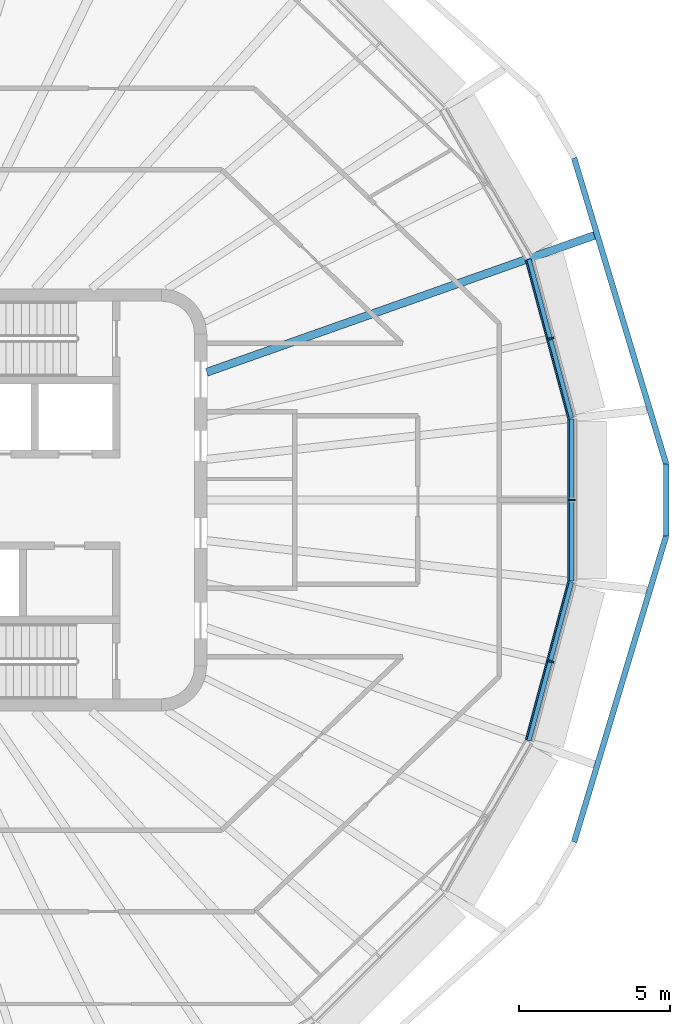
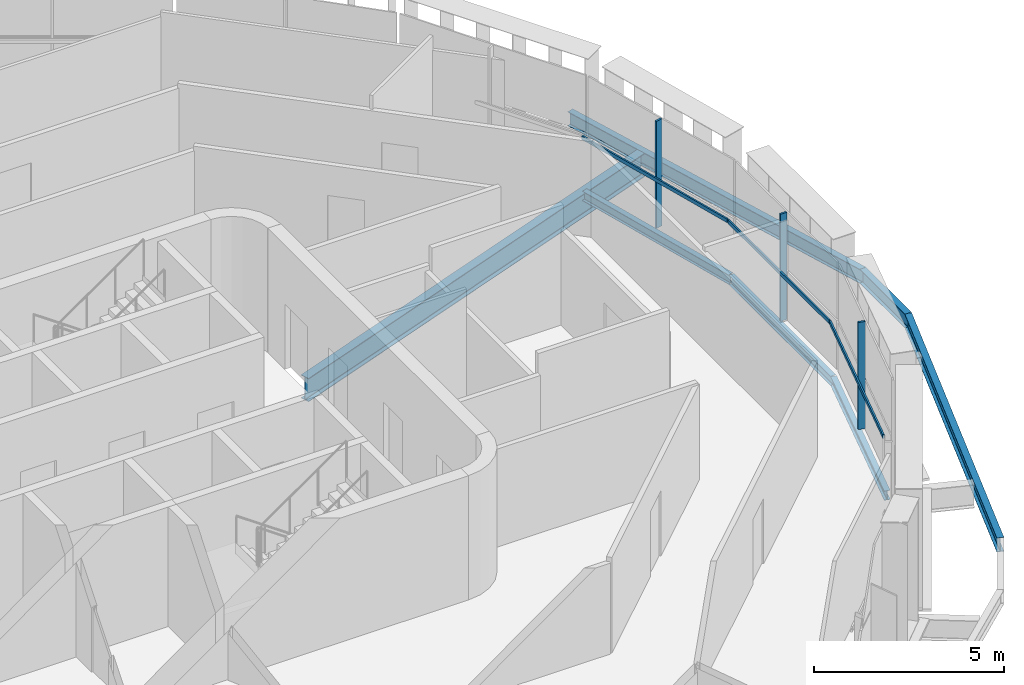
# One storey, part 4 of 18: 7 beams, 6 members, 3 elements without a shape of their own.
"""IFC4 building model written with IfcOpenShell, lengths in metres."""

from ifc_helpers import new_model, si_unit, direction, frame, origin, origin_2d, place, context, subcontext, project, spatial, rectangle, i_section, extrude, material, layer, layer_set, material_profile, profile_set, type_object, element, aggregate, save


model = new_model("IFC4")

# Units and contexts
model_context = context("Model", 3, precision=1e-05, world=origin(), true_north=direction((0.0, 1.0)))
body_context = subcontext(model_context, "Body", "Model", "MODEL_VIEW")
ifc_project = project(units=[si_unit("LENGTHUNIT", "METRE"), si_unit("AREAUNIT", "SQUARE_METRE"), si_unit("VOLUMEUNIT", "CUBIC_METRE"), si_unit("PLANEANGLEUNIT", "RADIAN"), si_unit("MASSUNIT", "GRAM", prefix="KILO")], contexts=[model_context])

# Site, building, storey
site_placement = place(None, origin())
site = spatial("IfcSite", under=ifc_project, at=site_placement, CompositionType="ELEMENT")
building_placement = place(site_placement, origin())
building = spatial("IfcBuilding", under=site, at=building_placement, Name="Sahrelin Media Tower", CompositionType="ELEMENT")
storey_placement = place(building_placement, frame((0.0, 0.0, 320.39990234375)))
storey = spatial("IfcBuildingStorey", under=building, at=storey_placement, Name="L71", CompositionType="ELEMENT", Elevation=320.39990234375)

# Beams
ifc_material_1 = material(Name="Steel S355", Category="steel")
ifc_material_profile_1 = material_profile(ifc_material_1, i_section(OverallWidth=0.1650390625, OverallDepth=0.303466796875, WebThickness=0.006103515625, FlangeThickness=0.01025390625, FilletRadius=0.0087890625, at=origin_2d()), Name="UB 305x165x40")
ifc_profile_set_1 = profile_set([ifc_material_profile_1], Name="Steel S355")
beam_type_1 = type_object("IfcBeamType", Name="Edge beam EB2", PredefinedType="BEAM", material=ifc_profile_set_1)
beam_1_placement = place(storey_placement, frame((24.0927734375, 2.685546875, -0.301513671875), z_axis=(0.0, -1.0, 0.0), x_axis=(1.0, 0.0, 0.0)))
element("IfcBeam", 1, at=beam_1_placement, inside=storey, type_object=beam_type_1, Name="Edge beam L71-01", PredefinedType="BEAM", context=body_context, shape_type="SweptSolid", body=[
    extrude(i_section(OverallWidth=0.1650390625, OverallDepth=0.303466796875, WebThickness=0.006103515625, FlangeThickness=0.01025390625, FilletRadius=0.0087890625, at=origin_2d()), origin(), (0.0, 0.0, 1.0), 5.37109375),
])
for number, where, z_axis, x_axis, name in (
    (2, (24.0888671875, -2.714111328125, -0.301513671875), (-0.258807693076, -0.965928867984, 0.0), (0.965928867984, -0.258807693076, 0.0), "Edge beam L71-02"),
    (3, (22.677490234375, 7.981689453125, -0.301513671875), (0.258807693076, -0.965928867984, 0.0), (0.965928867984, 0.258807693076, 0.0), "Edge beam L71-24"),
):
    element("IfcBeam", number, at=place(storey_placement, frame(where, z_axis=z_axis, x_axis=x_axis)), inside=storey, type_object=beam_type_1, Name=name, PredefinedType="BEAM", context=body_context, shape_type="SweptSolid", body=[
        extrude(i_section(OverallWidth=0.1650390625, OverallDepth=0.303466796875, WebThickness=0.006103515625, FlangeThickness=0.01025390625, FilletRadius=0.0087890625, at=origin_2d()), origin(), (0.0, 0.0, 1.0), 5.453369140625),
    ])

# Curtain wall, member
ifc_material_2 = material(Name="Champagne anodised aluminium 6063-T6", Category="aluminium")
ifc_layer = layer(ifc_material_2, 0.14990234375)
ifc_layer_set = layer_set([ifc_layer], Name="Tower ribbon curtain wall")
curtain_wall_type = type_object("IfcCurtainWallType", Name="Tower ribbon curtain wall", PredefinedType="NOTDEFINED", material=ifc_layer_set)
curtain_wall_1_placement = place(storey_placement, frame((24.24267578125, 0.0, 0.0), z_axis=(0.0, 0.0, 1.0), x_axis=(1.0, 0.0, 0.0)))
curtain_wall_1 = element("IfcCurtainWall", 4, at=curtain_wall_1_placement, inside=storey, type_object=curtain_wall_type, Name="L71:CW:L71-00", PredefinedType="NOTDEFINED")
ifc_material_profile_2 = material_profile(ifc_material_2, rectangle(XDim=0.06005859375, YDim=0.199951171875, at=origin_2d()), Name="Mullion 60x200")
ifc_profile_set_2 = profile_set([ifc_material_profile_2], Name="Champagne anodised aluminium 6063-T6")
member_type_1 = type_object("IfcMemberType", Name="Mullion 60x200 CW1C", PredefinedType="MULLION", material=ifc_profile_set_2)
member_1_placement = place(storey_placement, frame((24.122802734375, 0.0, 0.0), z_axis=(0.0, 0.0, 1.0), x_axis=(0.0, 1.0, 0.0)))
member_1 = element("IfcMember", 5, at=member_1_placement, type_object=member_type_1, Name="L71:CWM:L71-00", PredefinedType="MULLION", context=body_context, shape_type="SweptSolid", body=[
    extrude(rectangle(XDim=0.06005859375, YDim=0.199951171875, at=origin_2d()), origin(), (0.0, 0.0, 1.0), 3.44873046875),
])

curtain_wall_2_placement = place(storey_placement, frame((23.5283203125, 5.38671875, 0.0), z_axis=(0.0, 0.0, 1.0), x_axis=(1.0, 0.0, 0.0)))
curtain_wall_2 = element("IfcCurtainWall", 6, at=curtain_wall_2_placement, inside=storey, type_object=curtain_wall_type, Name="L71:CW:L71-01", PredefinedType="NOTDEFINED")
member_2_placement = place(storey_placement, frame((23.412109375, 5.355712890625, 0.0), z_axis=(0.0, 0.0, 1.0), x_axis=(-0.258813987523, 0.965927181449, 0.0)))
member_2 = element("IfcMember", 7, at=member_2_placement, type_object=member_type_1, Name="L71:CWM:L71-01", PredefinedType="MULLION", context=body_context, shape_type="SweptSolid", body=[
    extrude(rectangle(XDim=0.06005859375, YDim=0.199951171875, at=origin_2d()), origin(), (0.0, 0.0, 1.0), 3.44873046875),
])

curtain_wall_3_placement = place(storey_placement, frame((23.5283203125, -5.38671875, 0.0), z_axis=(0.0, 0.0, 1.0), x_axis=(1.0, 0.0, 0.0)))
curtain_wall_3 = element("IfcCurtainWall", 8, at=curtain_wall_3_placement, inside=storey, type_object=curtain_wall_type, Name="L71:CW:L71-23", PredefinedType="NOTDEFINED")
member_3_placement = place(storey_placement, frame((23.412109375, -5.355712890625, 0.0), z_axis=(0.0, 0.0, 1.0), x_axis=(0.258813987523, 0.965927181449, 0.0)))
member_3 = element("IfcMember", 9, at=member_3_placement, type_object=member_type_1, Name="L71:CWM:L71-23", PredefinedType="MULLION", context=body_context, shape_type="SweptSolid", body=[
    extrude(rectangle(XDim=0.06005859375, YDim=0.199951171875, at=origin_2d()), origin(), (0.0, 0.0, 1.0), 3.44873046875),
])

# Beams
ifc_material_profile_3 = material_profile(ifc_material_1, i_section(OverallWidth=0.26513671875, OverallDepth=0.75390625, WebThickness=0.0126953125, FlangeThickness=0.017578125, FilletRadius=0.0166015625, at=origin_2d()), Name="UB 762x267x147")
ifc_profile_set_3 = profile_set([ifc_material_profile_3], Name="Steel S355")
beam_type_2 = type_object("IfcBeamType", Name="Radial primary beam PB9", PredefinedType="BEAM", material=ifc_profile_set_3)
beam_2_placement = place(storey_placement, frame((12.0, 4.236083984375, -0.52685546875), z_axis=(0.942964873881, 0.332892244769, 0.0), x_axis=(-0.332892244769, 0.942964873881, 0.0)))
element("IfcBeam", 10, at=beam_2_placement, inside=storey, type_object=beam_type_2, Name="Radial beam L71-02", PredefinedType="BEAM", context=body_context, shape_type="SweptSolid", body=[
    extrude(i_section(OverallWidth=0.26513671875, OverallDepth=0.75390625, WebThickness=0.0126953125, FlangeThickness=0.017578125, FilletRadius=0.0166015625, at=origin_2d()), origin(), (0.0, 0.0, 1.0), 13.633056640625),
])
ifc_material_profile_4 = material_profile(ifc_material_1, i_section(OverallWidth=0.1904296875, OverallDepth=0.45703125, WebThickness=0.009033203125, FlangeThickness=0.014404296875, FilletRadius=0.01025390625, at=origin_2d()), Name="UB 457x191x74")
ifc_profile_set_4 = profile_set([ifc_material_profile_4], Name="Steel S355")
beam_type_3 = type_object("IfcBeamType", Name="Tie chord TC5", PredefinedType="BEAM", material=ifc_profile_set_4)
for number, where, z_axis, x_axis, name in (
    (11, (27.235107421875, 1.19189453125, -0.37841796875), (-0.287981707962, 0.957635909874, 0.0), (-0.957635909874, -0.287981707962, 0.0), "Tie chord L71-01"),
    (12, (24.182373046875, -11.34326171875, -0.37841796875), (0.287981707962, 0.957635909874, 0.0), (-0.957635909874, 0.287981707962, 0.0), "Tie chord L71-23"),
):
    element("IfcBeam", number, at=place(storey_placement, frame(where, z_axis=z_axis, x_axis=x_axis)), inside=storey, type_object=beam_type_3, Name=name, PredefinedType="BEAM", context=body_context, shape_type="SweptSolid", body=[
        extrude(i_section(OverallWidth=0.1904296875, OverallDepth=0.45703125, WebThickness=0.009033203125, FlangeThickness=0.014404296875, FilletRadius=0.01025390625, at=origin_2d()), origin(), (0.0, 0.0, 1.0), 10.600341796875),
    ])
beam_3_placement = place(storey_placement, frame((27.235107421875, -1.19189453125, -0.37841796875), z_axis=(0.0, 1.0, 0.0), x_axis=(-1.0, 0.0, 0.0)))
element("IfcBeam", 13, at=beam_3_placement, inside=storey, type_object=beam_type_3, Name="Tie chord L71-24", PredefinedType="BEAM", context=body_context, shape_type="SweptSolid", body=[
    extrude(i_section(OverallWidth=0.1904296875, OverallDepth=0.45703125, WebThickness=0.009033203125, FlangeThickness=0.014404296875, FilletRadius=0.01025390625, at=origin_2d()), origin(), (0.0, 0.0, 1.0), 2.3837890625),
])

# Member
ifc_material_profile_5 = material_profile(ifc_material_2, rectangle(XDim=0.050048828125, YDim=0.1201171875, at=origin_2d()), Name="Transom 50x120")
ifc_profile_set_5 = profile_set([ifc_material_profile_5], Name="Champagne anodised aluminium 6063-T6")
member_type_2 = type_object("IfcMemberType", Name="Transom 50x120 CW1C", PredefinedType="USERDEFINED", material=ifc_profile_set_5)
member_4_placement = place(storey_placement, frame((23.997802734375, -2.669921875, 1.60009765625), z_axis=(0.0, 1.0, 0.0), x_axis=(-1.0, 0.0, 0.0)))
member_4 = element("IfcMember", 14, at=member_4_placement, type_object=member_type_2, Name="L71:CWT:L71-00", ObjectType="TRANSOM", PredefinedType="USERDEFINED", context=body_context, shape_type="SweptSolid", body=[
    extrude(rectangle(XDim=0.050048828125, YDim=0.1201171875, at=origin_2d()), origin(), (0.0, 0.0, 1.0), 5.33984375),
])

aggregate(curtain_wall_1, [member_1, member_4])

member_5_placement = place(storey_placement, frame((23.9931640625, 2.704833984375, 1.60009765625), z_axis=(-0.258828366626, 0.965923328546, 0.0), x_axis=(-0.965923328546, -0.258828366626, 0.0)))
member_5 = element("IfcMember", 15, at=member_5_placement, type_object=member_type_2, Name="L71:CWT:L71-01", ObjectType="TRANSOM", PredefinedType="USERDEFINED", context=body_context, shape_type="SweptSolid", body=[
    extrude(rectangle(XDim=0.050048828125, YDim=0.1201171875, at=origin_2d()), origin(), (0.0, 0.0, 1.0), 5.421875),
])

aggregate(curtain_wall_2, [member_2, member_5])

member_6_placement = place(storey_placement, frame((22.58984375, -7.94189453125, 1.60009765625), z_axis=(0.258828366626, 0.965923328546, 0.0), x_axis=(-0.965923328546, 0.258828366626, 0.0)))
member_6 = element("IfcMember", 16, at=member_6_placement, type_object=member_type_2, Name="L71:CWT:L71-23", ObjectType="TRANSOM", PredefinedType="USERDEFINED", context=body_context, shape_type="SweptSolid", body=[
    extrude(rectangle(XDim=0.050048828125, YDim=0.1201171875, at=origin_2d()), origin(), (0.0, 0.0, 1.0), 5.421875),
])

aggregate(curtain_wall_3, [member_3, member_6])

save(model, "model.ifc")
